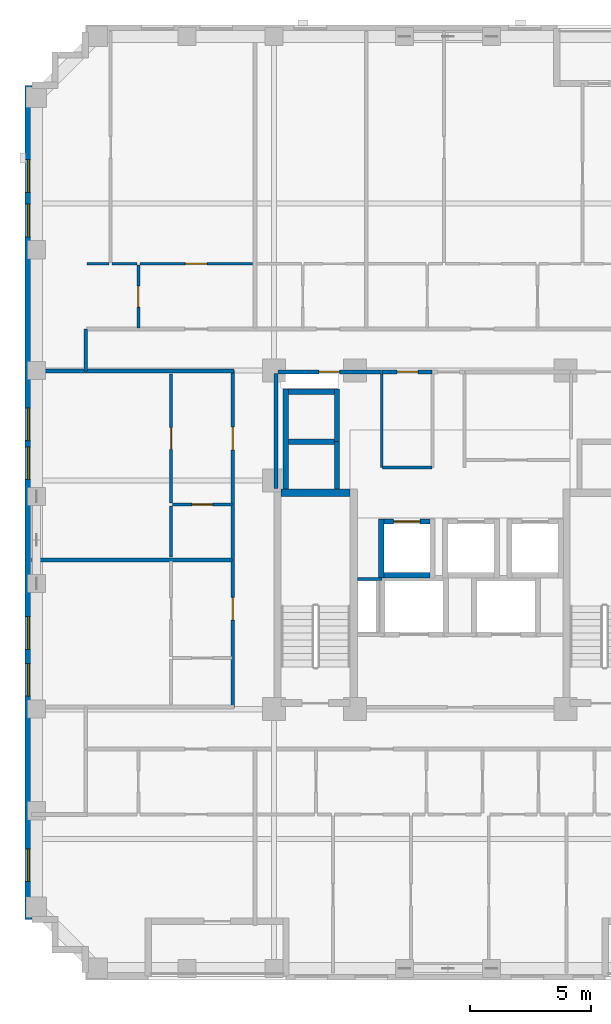
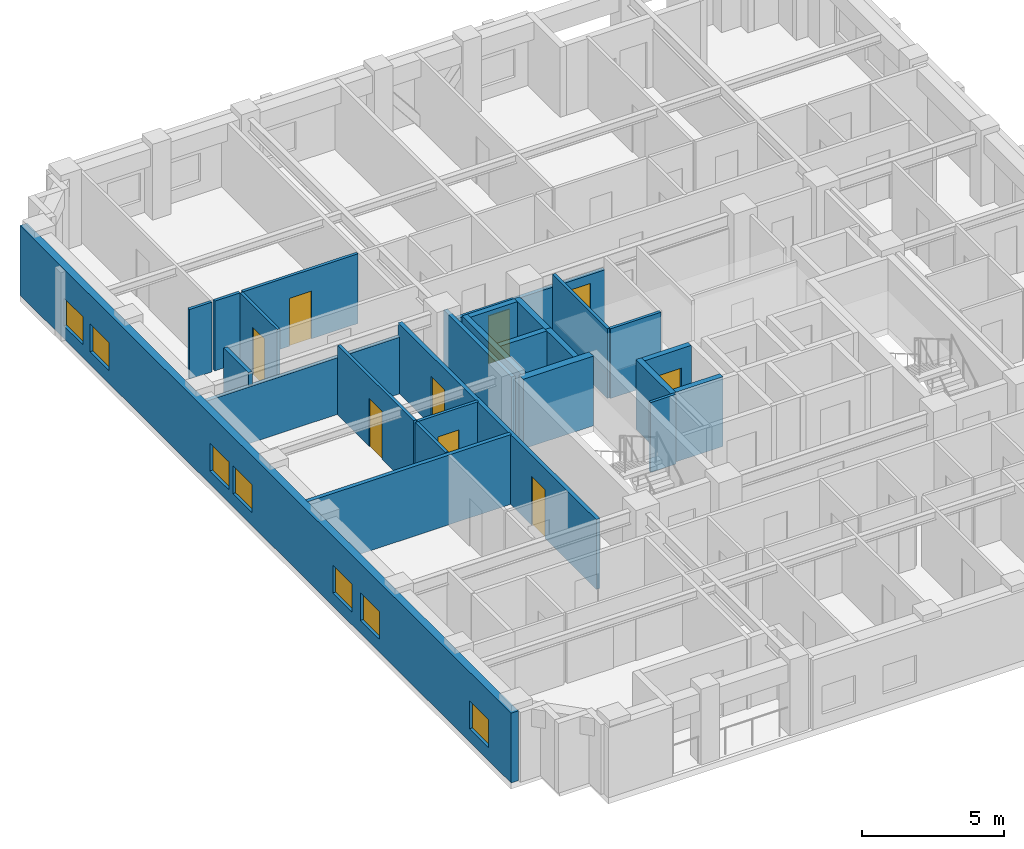
# One storey, part 5 of 11: 27 walls, 9 doors, 7 windows, 16 openings.
"""IFC4 building model written with IfcOpenShell, lengths in metres."""

from ifc_helpers import new_model, si_unit, derived_unit, direction, frame, frame_2d, origin, place, context, subcontext, project, spatial, rectangle, extrude, material, layer, layer_set, type_object, element, fill, save


model = new_model("IFC4")

# Units and contexts
model_context = context("Model", 3, precision=1e-05, world=origin(), true_north=direction((0.0, 1.0)))
body_context = subcontext(model_context, "Body", "Model", "MODEL_VIEW")
ifc_project = project(units=[si_unit("LENGTHUNIT", "METRE"), si_unit("AREAUNIT", "SQUARE_METRE"), si_unit("VOLUMEUNIT", "CUBIC_METRE"), si_unit("PLANEANGLEUNIT", "RADIAN"), si_unit("MASSUNIT", "GRAM", prefix="KILO"), derived_unit("THERMALTRANSMITTANCEUNIT", [(si_unit("MASSUNIT", "GRAM", prefix="KILO"), 1), (si_unit("TIMEUNIT", "SECOND"), -3), (si_unit("THERMODYNAMICTEMPERATUREUNIT", "KELVIN"), -1)])], contexts=[model_context])

# Site, building, storey
site_placement = place(None, origin())
site = spatial("IfcSite", under=ifc_project, at=site_placement, CompositionType="ELEMENT")
building_placement = place(site_placement, origin())
building = spatial("IfcBuilding", under=site, at=building_placement, Name="Korrvale Station Residences", CompositionType="ELEMENT")
storey_placement = place(building_placement, frame((0.0, 0.0, 143.89990234375)))
storey = spatial("IfcBuildingStorey", under=building, at=storey_placement, Name="L41", CompositionType="ELEMENT", Elevation=143.89990234375)

# Wall
ifc_material_1 = material(Name="Concrete C60/75", Category="concrete")
ifc_layer_1 = layer(ifc_material_1, 0.300048828125, Name="Concrete C60/75")
ifc_layer_set_1 = layer_set([ifc_layer_1], Name="Concrete C60/75")
wall_type_1 = type_object("IfcWallType", Name="WAL-CORE-300-C60", PredefinedType="SHEAR", material=ifc_layer_set_1)
wall_1_placement = place(storey_placement, frame((18.10009765625, 23.949951171875, 0.0), z_axis=(0.0, 0.0, 1.0), x_axis=(1.0, 0.0, 0.0)))
element("IfcWall", 1, at=wall_1_placement, inside=storey, type_object=wall_type_1, Name="L41 ST-1 Core Shear Wall North", PredefinedType="SHEAR", context=body_context, shape_type="SweptSolid", body=[
    extrude(rectangle(XDim=2.849853515625, YDim=0.300048828125, at=frame_2d((1.4248046875, 0.0))), origin(), (0.0, 0.0, 1.0), 2.989990234375),
])

# Wall, openings, windows
ifc_material_2 = material(Name="Precast concrete C45/55", Category="concrete")
ifc_layer_2 = layer(ifc_material_2, 0.300048828125, Name="Precast concrete C45/55")
ifc_layer_set_2 = layer_set([ifc_layer_2], Name="Precast concrete C45/55")
wall_type_2 = type_object("IfcWallType", Name="WAL-EXT-PC300", PredefinedType="SOLIDWALL", material=ifc_layer_set_2)
wall_2_placement = place(storey_placement, frame((7.64990234375, 6.300048828125, 0.0), z_axis=(0.0, 0.0, 1.0), x_axis=(0.0, 1.0, 0.0)))
wall_2 = element("IfcWall", 2, at=wall_2_placement, inside=storey, type_object=wall_type_2, Name="L41 West Exterior Precast Wall 1", PredefinedType="SOLIDWALL", context=body_context, shape_type="SweptSolid", body=[
    extrude(rectangle(XDim=34.5, YDim=0.300048828125, at=frame_2d((17.25, 0.0))), origin(), (0.0, 0.0, 1.0), 2.989990234375),
])
opening_1_placement = place(wall_2_placement, frame((1.574951171875, 0.0, 0.550048828125)))
opening_1 = element("IfcOpeningElement", 3, at=opening_1_placement, cuts=wall_2, Name="Opening W-10", PredefinedType="OPENING", context=body_context, shape_type="SweptSolid", body=[
    extrude(rectangle(XDim=1.35009765625, YDim=1.199951171875, at=frame_2d((0.675048828125, 0.60009765625))), frame((0.0, 0.16015625, 0.0), z_axis=(0.0, -1.0, 0.0), x_axis=(1.0, 0.0, 0.0)), (0.0, 0.0, 1.0), 0.320068359375),
])
opening_2_placement = place(wall_2_placement, frame((30.074951171875, 0.0, 0.550048828125)))
opening_2 = element("IfcOpeningElement", 4, at=opening_2_placement, cuts=wall_2, Name="Opening W-10", PredefinedType="OPENING", context=body_context, shape_type="SweptSolid", body=[
    extrude(rectangle(XDim=1.35009765625, YDim=1.199951171875, at=frame_2d((0.675048828125, 0.60009765625))), frame((0.0, 0.16015625, 0.0), z_axis=(0.0, -1.0, 0.0), x_axis=(1.0, 0.0, 0.0)), (0.0, 0.0, 1.0), 0.320068359375),
])
opening_3_placement = place(wall_2_placement, frame((28.235107421875, 0.0, 0.550048828125)))
opening_3 = element("IfcOpeningElement", 5, at=opening_3_placement, cuts=wall_2, Name="Opening W-10", PredefinedType="OPENING", context=body_context, shape_type="SweptSolid", body=[
    extrude(rectangle(XDim=1.35009765625, YDim=1.199951171875, at=frame_2d((0.675048828125, 0.60009765625))), frame((0.0, 0.16015625, 0.0), z_axis=(0.0, -1.0, 0.0), x_axis=(1.0, 0.0, 0.0)), (0.0, 0.0, 1.0), 0.320068359375),
])
opening_4_placement = place(wall_2_placement, frame((11.175048828125, 0.0, 0.550048828125)))
opening_4 = element("IfcOpeningElement", 6, at=opening_4_placement, cuts=wall_2, Name="Opening W-10", PredefinedType="OPENING", context=body_context, shape_type="SweptSolid", body=[
    extrude(rectangle(XDim=1.35009765625, YDim=1.199951171875, at=frame_2d((0.675048828125, 0.60009765625))), frame((0.0, 0.16015625, 0.0), z_axis=(0.0, -1.0, 0.0), x_axis=(1.0, 0.0, 0.0)), (0.0, 0.0, 1.0), 0.320068359375),
])
opening_5_placement = place(wall_2_placement, frame((9.235107421875, 0.0, 0.550048828125)))
opening_5 = element("IfcOpeningElement", 7, at=opening_5_placement, cuts=wall_2, Name="Opening W-10", PredefinedType="OPENING", context=body_context, shape_type="SweptSolid", body=[
    extrude(rectangle(XDim=1.35009765625, YDim=1.199951171875, at=frame_2d((0.675048828125, 0.60009765625))), frame((0.0, 0.16015625, 0.0), z_axis=(0.0, -1.0, 0.0), x_axis=(1.0, 0.0, 0.0)), (0.0, 0.0, 1.0), 0.320068359375),
])
opening_6_placement = place(wall_2_placement, frame((18.199951171875, 0.0, 0.550048828125)))
opening_6 = element("IfcOpeningElement", 8, at=opening_6_placement, cuts=wall_2, Name="Opening W-10", PredefinedType="OPENING", context=body_context, shape_type="SweptSolid", body=[
    extrude(rectangle(XDim=1.35009765625, YDim=1.199951171875, at=frame_2d((0.675048828125, 0.60009765625))), frame((0.0, 0.16015625, 0.0), z_axis=(0.0, -1.0, 0.0), x_axis=(1.0, 0.0, 0.0)), (0.0, 0.0, 1.0), 0.320068359375),
])
opening_7_placement = place(wall_2_placement, frame((19.81005859375, 0.0, 0.550048828125)))
opening_7 = element("IfcOpeningElement", 9, at=opening_7_placement, cuts=wall_2, Name="Opening W-10", PredefinedType="OPENING", context=body_context, shape_type="SweptSolid", body=[
    extrude(rectangle(XDim=1.35009765625, YDim=1.199951171875, at=frame_2d((0.675048828125, 0.60009765625))), frame((0.0, 0.16015625, 0.0), z_axis=(0.0, -1.0, 0.0), x_axis=(1.0, 0.0, 0.0)), (0.0, 0.0, 1.0), 0.320068359375),
])
ifc_material_3 = material(Name="Thermally broken aluminium frame with triple low-e glazing", Category="aluminium")
window_type = type_object("IfcWindowType", Name="WIN-W10", PartitioningType="SINGLE_PANEL", PredefinedType="WINDOW", material=ifc_material_3)
window_1_placement = place(opening_1_placement, origin())
window_1 = element("IfcWindow", 10, at=window_1_placement, inside=storey, type_object=window_type, Name="L41 Punched Window 01", OverallHeight=1.199951171875, OverallWidth=1.35009765625, PartitioningType="SINGLE_PANEL", PredefinedType="WINDOW", context=body_context, shape_type="SweptSolid", body=[
    extrude(rectangle(XDim=1.35009765625, YDim=1.199951171875, at=frame_2d((0.675048828125, 0.60009765625))), frame((0.0, 0.030029296875, 0.0), z_axis=(0.0, -1.0, 0.0), x_axis=(1.0, 0.0, 0.0)), (0.0, 0.0, 1.0), 0.06005859375),
])
fill(opening_1, window_1)
window_2_placement = place(opening_2_placement, origin())
window_2 = element("IfcWindow", 11, at=window_2_placement, inside=storey, type_object=window_type, Name="L41 Punched Window 07", OverallHeight=1.199951171875, OverallWidth=1.35009765625, PartitioningType="SINGLE_PANEL", PredefinedType="WINDOW", context=body_context, shape_type="SweptSolid", body=[
    extrude(rectangle(XDim=1.35009765625, YDim=1.199951171875, at=frame_2d((0.675048828125, 0.60009765625))), frame((0.0, 0.030029296875, 0.0), z_axis=(0.0, -1.0, 0.0), x_axis=(1.0, 0.0, 0.0)), (0.0, 0.0, 1.0), 0.06005859375),
])
fill(opening_2, window_2)
window_3_placement = place(opening_3_placement, origin())
window_3 = element("IfcWindow", 12, at=window_3_placement, inside=storey, type_object=window_type, Name="L41 Punched Window 08", OverallHeight=1.199951171875, OverallWidth=1.35009765625, PartitioningType="SINGLE_PANEL", PredefinedType="WINDOW", context=body_context, shape_type="SweptSolid", body=[
    extrude(rectangle(XDim=1.35009765625, YDim=1.199951171875, at=frame_2d((0.675048828125, 0.60009765625))), frame((0.0, 0.030029296875, 0.0), z_axis=(0.0, -1.0, 0.0), x_axis=(1.0, 0.0, 0.0)), (0.0, 0.0, 1.0), 0.06005859375),
])
fill(opening_3, window_3)
window_4_placement = place(opening_4_placement, origin())
window_4 = element("IfcWindow", 13, at=window_4_placement, inside=storey, type_object=window_type, Name="L41 Punched Window 16", OverallHeight=1.199951171875, OverallWidth=1.35009765625, PartitioningType="SINGLE_PANEL", PredefinedType="WINDOW", context=body_context, shape_type="SweptSolid", body=[
    extrude(rectangle(XDim=1.35009765625, YDim=1.199951171875, at=frame_2d((0.675048828125, 0.60009765625))), frame((0.0, 0.030029296875, 0.0), z_axis=(0.0, -1.0, 0.0), x_axis=(1.0, 0.0, 0.0)), (0.0, 0.0, 1.0), 0.06005859375),
])
fill(opening_4, window_4)
window_5_placement = place(opening_5_placement, origin())
window_5 = element("IfcWindow", 14, at=window_5_placement, inside=storey, type_object=window_type, Name="L41 Punched Window 17", OverallHeight=1.199951171875, OverallWidth=1.35009765625, PartitioningType="SINGLE_PANEL", PredefinedType="WINDOW", context=body_context, shape_type="SweptSolid", body=[
    extrude(rectangle(XDim=1.35009765625, YDim=1.199951171875, at=frame_2d((0.675048828125, 0.60009765625))), frame((0.0, 0.030029296875, 0.0), z_axis=(0.0, -1.0, 0.0), x_axis=(1.0, 0.0, 0.0)), (0.0, 0.0, 1.0), 0.06005859375),
])
fill(opening_5, window_5)
window_6_placement = place(opening_6_placement, origin())
window_6 = element("IfcWindow", 15, at=window_6_placement, inside=storey, type_object=window_type, Name="L41 Punched Window 18", OverallHeight=1.199951171875, OverallWidth=1.35009765625, PartitioningType="SINGLE_PANEL", PredefinedType="WINDOW", context=body_context, shape_type="SweptSolid", body=[
    extrude(rectangle(XDim=1.35009765625, YDim=1.199951171875, at=frame_2d((0.675048828125, 0.60009765625))), frame((0.0, 0.030029296875, 0.0), z_axis=(0.0, -1.0, 0.0), x_axis=(1.0, 0.0, 0.0)), (0.0, 0.0, 1.0), 0.06005859375),
])
fill(opening_6, window_6)
window_7_placement = place(opening_7_placement, origin())
window_7 = element("IfcWindow", 16, at=window_7_placement, inside=storey, type_object=window_type, Name="L41 Punched Window 19", OverallHeight=1.199951171875, OverallWidth=1.35009765625, PartitioningType="SINGLE_PANEL", PredefinedType="WINDOW", context=body_context, shape_type="SweptSolid", body=[
    extrude(rectangle(XDim=1.35009765625, YDim=1.199951171875, at=frame_2d((0.675048828125, 0.60009765625))), frame((0.0, 0.030029296875, 0.0), z_axis=(0.0, -1.0, 0.0), x_axis=(1.0, 0.0, 0.0)), (0.0, 0.0, 1.0), 0.06005859375),
])
fill(opening_7, window_7)

# Walls
ifc_material_4 = material(Name="Acoustic steel-stud gypsum board partition", Category="steel")
ifc_layer_3 = layer(ifc_material_4, 0.1201171875, Name="Acoustic steel-stud gypsum board partition")
ifc_layer_set_3 = layer_set([ifc_layer_3], Name="Acoustic steel-stud gypsum board partition")
wall_type_3 = type_object("IfcWallType", Name="WAL-PART-125", PredefinedType="PARTITIONING", material=ifc_layer_set_3)
wall_3_placement = place(storey_placement, frame((22.280029296875, 20.3798828125, 0.0), z_axis=(0.0, 0.0, 1.0), x_axis=(-1.0, 0.0, 0.0)))
element("IfcWall", 17, at=wall_3_placement, inside=storey, type_object=wall_type_3, Name="L41 Core Partition CW-RSWT-N", PredefinedType="PARTITIONING", context=body_context, shape_type="SweptSolid", body=[
    extrude(rectangle(XDim=1.02001953125, YDim=0.1201171875, at=frame_2d((0.510009765625, 0.0))), origin(), (0.0, 0.0, 1.0), 2.989990234375),
])
wall_4_placement = place(storey_placement, frame((22.260009765625, 25.0, 0.0), z_axis=(0.0, 0.0, 1.0), x_axis=(0.0, 1.0, 0.0)))
element("IfcWall", 18, at=wall_4_placement, inside=storey, type_object=wall_type_3, Name="L41 Core Partition CW-FPLW-W", PredefinedType="PARTITIONING", context=body_context, shape_type="SweptSolid", body=[
    extrude(rectangle(XDim=3.860107421875, YDim=0.1201171875, at=frame_2d((1.93017578125, 0.0))), origin(), (0.0, 0.0, 1.0), 2.989990234375),
])
wall_5_placement = place(storey_placement, frame((22.300048828125, 25.0, 0.0), z_axis=(0.0, 0.0, 1.0), x_axis=(1.0, 0.0, 0.0)))
element("IfcWall", 19, at=wall_5_placement, inside=storey, type_object=wall_type_3, Name="L41 Core Partition CW-FPLW-S", PredefinedType="PARTITIONING", context=body_context, shape_type="SweptSolid", body=[
    extrude(rectangle(XDim=2.0400390625, YDim=0.1201171875, at=frame_2d((1.02001953125, 0.0))), origin(), (0.0, 0.0, 1.0), 2.989990234375),
])

# Wall, opening, door
wall_6_placement = place(storey_placement, frame((12.193115234375, 30.760009765625, 0.0), z_axis=(0.0, 0.0, 1.0), x_axis=(0.0, 1.0, 0.0)))
wall_6 = element("IfcWall", 20, at=wall_6_placement, inside=storey, type_object=wall_type_3, Name="L41 Suite Partition U03-V01", PredefinedType="PARTITIONING", context=body_context, shape_type="SweptSolid", body=[
    extrude(rectangle(XDim=2.60009765625, YDim=0.1201171875, at=frame_2d((1.300048828125, 0.0))), origin(), (0.0, 0.0, 1.0), 2.989990234375),
])
opening_8_placement = place(wall_6_placement, frame((0.8701171875, 0.0, 0.0)))
opening_8 = element("IfcOpeningElement", 21, at=opening_8_placement, cuts=wall_6, Name="Opening DB-860", PredefinedType="OPENING", context=body_context, shape_type="SweptSolid", body=[
    extrude(rectangle(XDim=0.860107421875, YDim=2.050048828125, at=frame_2d((0.43017578125, 1.02490234375))), frame((0.0, 0.070068359375, 0.0), z_axis=(0.0, -1.0, 0.0), x_axis=(1.0, 0.0, 0.0)), (0.0, 0.0, 1.0), 0.14013671875),
])
ifc_material_5 = material(Name="Moisture-resistant solid-core bathroom door", Category="timber")
door_type_1 = type_object("IfcDoorType", Name="DR-BATH-860", OperationType="NOTDEFINED", PredefinedType="DOOR", material=ifc_material_5)
door_1_placement = place(opening_8_placement, origin())
door_1 = element("IfcDoor", 22, at=door_1_placement, inside=storey, type_object=door_type_1, Name="L41 Studio Apartment L41-U03 Bathroom Door", OperationType="SINGLE_SWING_RIGHT", OverallHeight=2.050048828125, OverallWidth=0.860107421875, PredefinedType="DOOR", context=body_context, shape_type="SweptSolid", body=[
    extrude(rectangle(XDim=0.860107421875, YDim=2.050048828125, at=frame_2d((0.43017578125, 1.02490234375))), frame((0.0, 0.02490234375, 0.0), z_axis=(0.0, -1.0, 0.0), x_axis=(1.0, 0.0, 0.0)), (0.0, 0.0, 1.0), 0.050048828125),
])
fill(opening_8, door_1)

# Walls
wall_7_placement = place(storey_placement, frame((10.080078125, 33.419921875, 0.0), z_axis=(0.0, 0.0, 1.0), x_axis=(1.0, 0.0, 0.0)))
element("IfcWall", 23, at=wall_7_placement, inside=storey, type_object=wall_type_3, Name="L41 Suite Partition U03-H02", PredefinedType="PARTITIONING", context=body_context, shape_type="SweptSolid", body=[
    extrude(rectangle(XDim=0.909912109375, YDim=0.1201171875, at=frame_2d((0.455078125, 0.0))), origin(), (0.0, 0.0, 1.0), 2.989990234375),
])
wall_8_placement = place(storey_placement, frame((11.110107421875, 33.419921875, 0.0), z_axis=(0.0, 0.0, 1.0), x_axis=(1.0, 0.0, 0.0)))
element("IfcWall", 24, at=wall_8_placement, inside=storey, type_object=wall_type_3, Name="L41 Suite Partition U03-H03", PredefinedType="PARTITIONING", context=body_context, shape_type="SweptSolid", body=[
    extrude(rectangle(XDim=1.02294921875, YDim=0.1201171875, at=frame_2d((0.511474609375, 0.0))), origin(), (0.0, 0.0, 1.0), 2.989990234375),
])

# Wall, opening, door
wall_9_placement = place(storey_placement, frame((12.2529296875, 33.419921875, 0.0), z_axis=(0.0, 0.0, 1.0), x_axis=(1.0, 0.0, 0.0)))
wall_9 = element("IfcWall", 25, at=wall_9_placement, inside=storey, type_object=wall_type_3, Name="L41 Suite Partition U03-H13", PredefinedType="PARTITIONING", context=body_context, shape_type="SweptSolid", body=[
    extrude(rectangle(XDim=4.671142578125, YDim=0.1201171875, at=frame_2d((2.33544921875, 0.0))), origin(), (0.0, 0.0, 1.0), 2.989990234375),
])
opening_9_placement = place(wall_9_placement, frame((1.885009765625, 0.0, 0.0)))
opening_9 = element("IfcOpeningElement", 26, at=opening_9_placement, cuts=wall_9, Name="Opening DI-900", PredefinedType="OPENING", context=body_context, shape_type="SweptSolid", body=[
    extrude(rectangle(XDim=0.89990234375, YDim=2.050048828125, at=frame_2d((0.449951171875, 1.02490234375))), frame((0.0, 0.070068359375, 0.0), z_axis=(0.0, -1.0, 0.0), x_axis=(1.0, 0.0, 0.0)), (0.0, 0.0, 1.0), 0.14013671875),
])
ifc_material_6 = material(Name="Painted solid-core timber interior room door", Category="wood")
door_type_2 = type_object("IfcDoorType", Name="DR-INT-900", OperationType="NOTDEFINED", PredefinedType="DOOR", material=ifc_material_6)
door_2_placement = place(opening_9_placement, origin())
door_2 = element("IfcDoor", 27, at=door_2_placement, inside=storey, type_object=door_type_2, Name="L41 Studio Apartment L41-U03 Kitchen Door", OperationType="SINGLE_SWING_LEFT", OverallHeight=2.050048828125, OverallWidth=0.89990234375, PredefinedType="DOOR", context=body_context, shape_type="SweptSolid", body=[
    extrude(rectangle(XDim=0.89990234375, YDim=2.050048828125, at=frame_2d((0.449951171875, 1.02490234375))), frame((0.0, 0.02490234375, 0.0), z_axis=(0.0, -1.0, 0.0), x_axis=(1.0, 0.0, 0.0)), (0.0, 0.0, 1.0), 0.050048828125),
])
fill(opening_9, door_2)

wall_10_placement = place(storey_placement, frame((13.610107421875, 23.467041015625, 0.0), z_axis=(0.0, 0.0, 1.0), x_axis=(1.0, 0.0, 0.0)))
wall_10 = element("IfcWall", 28, at=wall_10_placement, inside=storey, type_object=wall_type_3, Name="L41 Suite Partition U08-H01", PredefinedType="PARTITIONING", context=body_context, shape_type="SweptSolid", body=[
    extrude(rectangle(XDim=2.449951171875, YDim=0.1201171875, at=frame_2d((1.22509765625, 0.0))), origin(), (0.0, 0.0, 1.0), 2.989990234375),
])
opening_10_placement = place(wall_10_placement, frame((0.794921875, 0.0, 0.0)))
opening_10 = element("IfcOpeningElement", 29, at=opening_10_placement, cuts=wall_10, Name="Opening DB-860", PredefinedType="OPENING", context=body_context, shape_type="SweptSolid", body=[
    extrude(rectangle(XDim=0.860107421875, YDim=2.050048828125, at=frame_2d((0.43017578125, 1.02490234375))), frame((0.0, 0.070068359375, 0.0), z_axis=(0.0, -1.0, 0.0), x_axis=(1.0, 0.0, 0.0)), (0.0, 0.0, 1.0), 0.14013671875),
])
door_3_placement = place(opening_10_placement, origin())
door_3 = element("IfcDoor", 30, at=door_3_placement, inside=storey, type_object=door_type_1, Name="L41 Apartment 1BR L41-U08 Bathroom Door", OperationType="SINGLE_SWING_RIGHT", OverallHeight=2.050048828125, OverallWidth=0.860107421875, PredefinedType="DOOR", context=body_context, shape_type="SweptSolid", body=[
    extrude(rectangle(XDim=0.860107421875, YDim=2.050048828125, at=frame_2d((0.43017578125, 1.02490234375))), frame((0.0, 0.02490234375, 0.0), z_axis=(0.0, -1.0, 0.0), x_axis=(1.0, 0.0, 0.0)), (0.0, 0.0, 1.0), 0.050048828125),
])
fill(opening_10, door_3)

# Wall
wall_11_placement = place(storey_placement, frame((13.550048828125, 21.285888671875, 0.0), z_axis=(0.0, 0.0, 1.0), x_axis=(0.0, 1.0, 0.0)))
element("IfcWall", 31, at=wall_11_placement, inside=storey, type_object=wall_type_3, Name="L41 Suite Partition U08-V02", PredefinedType="PARTITIONING", context=body_context, shape_type="SweptSolid", body=[
    extrude(rectangle(XDim=2.12109375, YDim=0.1201171875, at=frame_2d((1.060546875, 0.0))), origin(), (0.0, 0.0, 1.0), 2.989990234375),
])

# Wall, opening, door
wall_12_placement = place(storey_placement, frame((13.550048828125, 23.527099609375, 0.0), z_axis=(0.0, 0.0, 1.0), x_axis=(0.0, 1.0, 0.0)))
wall_12 = element("IfcWall", 32, at=wall_12_placement, inside=storey, type_object=wall_type_3, Name="L41 Suite Partition U08-V12", PredefinedType="PARTITIONING", context=body_context, shape_type="SweptSolid", body=[
    extrude(rectangle(XDim=5.3330078125, YDim=0.1201171875, at=frame_2d((2.66650390625, 0.0))), origin(), (0.0, 0.0, 1.0), 2.989990234375),
])
opening_11_placement = place(wall_12_placement, frame((2.216064453125, 0.0, 0.0)))
opening_11 = element("IfcOpeningElement", 33, at=opening_11_placement, cuts=wall_12, Name="Opening DI-900", PredefinedType="OPENING", context=body_context, shape_type="SweptSolid", body=[
    extrude(rectangle(XDim=0.89990234375, YDim=2.050048828125, at=frame_2d((0.449951171875, 1.02490234375))), frame((0.0, 0.070068359375, 0.0), z_axis=(0.0, -1.0, 0.0), x_axis=(1.0, 0.0, 0.0)), (0.0, 0.0, 1.0), 0.14013671875),
])
door_4_placement = place(opening_11_placement, origin())
door_4 = element("IfcDoor", 34, at=door_4_placement, inside=storey, type_object=door_type_2, Name="L41 Apartment 1BR L41-U08 Kitchen Door", OperationType="SINGLE_SWING_LEFT", OverallHeight=2.050048828125, OverallWidth=0.89990234375, PredefinedType="DOOR", context=body_context, shape_type="SweptSolid", body=[
    extrude(rectangle(XDim=0.89990234375, YDim=2.050048828125, at=frame_2d((0.449951171875, 1.02490234375))), frame((0.0, 0.02490234375, 0.0), z_axis=(0.0, -1.0, 0.0), x_axis=(1.0, 0.0, 0.0)), (0.0, 0.0, 1.0), 0.050048828125),
])
fill(opening_11, door_4)

# Wall
ifc_material_7 = material(Name="Fire-rated twin-stud gypsum and mineral wool shaftwall assembly", Category="gypsum")
ifc_layer_4 = layer(ifc_material_7, 0.159912109375, Name="Fire-rated twin-stud gypsum and mineral wool shaftwall assembly")
ifc_layer_set_4 = layer_set([ifc_layer_4], Name="Fire-rated twin-stud gypsum and mineral wool shaftwall assembly")
wall_type_4 = type_object("IfcWallType", Name="WAL-PART-200", PredefinedType="PARTITIONING", material=ifc_layer_set_4)
wall_13_placement = place(storey_placement, frame((17.8798828125, 24.1201171875, 0.0), z_axis=(0.0, 0.0, 1.0), x_axis=(0.0, 1.0, 0.0)))
element("IfcWall", 35, at=wall_13_placement, inside=storey, type_object=wall_type_4, Name="L41 Core Partition CW-W-N", PredefinedType="PARTITIONING", context=body_context, shape_type="SweptSolid", body=[
    extrude(rectangle(XDim=4.759765625, YDim=0.159912109375, at=frame_2d((2.3798828125, 0.0))), origin(), (0.0, 0.0, 1.0), 2.989990234375),
])

# Wall, opening, door
wall_14_placement = place(storey_placement, frame((17.9599609375, 28.949951171875, 0.0), z_axis=(0.0, 0.0, 1.0), x_axis=(1.0, 0.0, 0.0)))
wall_14 = element("IfcWall", 36, at=wall_14_placement, inside=storey, type_object=wall_type_4, Name="L41 Core Partition CW-NW", PredefinedType="PARTITIONING", context=body_context, shape_type="SweptSolid", body=[
    extrude(rectangle(XDim=4.2900390625, YDim=0.159912109375, at=frame_2d((2.14501953125, 0.0))), origin(), (0.0, 0.0, 1.0), 2.426025390625),
])
opening_12_placement = place(wall_14_placement, frame((1.695068359375, 0.0, 0.0)))
opening_12 = element("IfcOpeningElement", 37, at=opening_12_placement, cuts=wall_14, Name="Opening DB-860", PredefinedType="OPENING", context=body_context, shape_type="SweptSolid", body=[
    extrude(rectangle(XDim=0.860107421875, YDim=2.050048828125, at=frame_2d((0.43017578125, 1.02490234375))), frame((0.0, 0.08984375, 0.0), z_axis=(0.0, -1.0, 0.0), x_axis=(1.0, 0.0, 0.0)), (0.0, 0.0, 1.0), 0.179931640625),
])
door_5_placement = place(opening_12_placement, origin())
door_5 = element("IfcDoor", 38, at=door_5_placement, inside=storey, type_object=door_type_1, Name="L41 Electrical Riser Access Door", OperationType="SINGLE_SWING_RIGHT", OverallHeight=2.050048828125, OverallWidth=0.860107421875, PredefinedType="DOOR", context=body_context, shape_type="SweptSolid", body=[
    extrude(rectangle(XDim=0.860107421875, YDim=2.050048828125, at=frame_2d((0.43017578125, 1.02490234375))), frame((0.0, 0.02490234375, 0.0), z_axis=(0.0, -1.0, 0.0), x_axis=(1.0, 0.0, 0.0)), (0.0, 0.0, 1.0), 0.050048828125),
])
fill(opening_12, door_5)

wall_15_placement = place(storey_placement, frame((22.280029296875, 28.949951171875, 0.0), z_axis=(0.0, 0.0, 1.0), x_axis=(1.0, 0.0, 0.0)))
wall_15 = element("IfcWall", 39, at=wall_15_placement, inside=storey, type_object=wall_type_4, Name="L41 Core Partition CW-FPLW-N", PredefinedType="PARTITIONING", context=body_context, shape_type="SweptSolid", body=[
    extrude(rectangle(XDim=2.06005859375, YDim=0.159912109375, at=frame_2d((1.030029296875, 0.0))), origin(), (0.0, 0.0, 1.0), 2.426025390625),
])
opening_13_placement = place(wall_15_placement, frame((0.6201171875, 0.0, 0.0)))
opening_13 = element("IfcOpeningElement", 40, at=opening_13_placement, cuts=wall_15, Name="Opening DB-860", PredefinedType="OPENING", context=body_context, shape_type="SweptSolid", body=[
    extrude(rectangle(XDim=0.860107421875, YDim=2.050048828125, at=frame_2d((0.43017578125, 1.02490234375))), frame((0.0, 0.08984375, 0.0), z_axis=(0.0, -1.0, 0.0), x_axis=(1.0, 0.0, 0.0)), (0.0, 0.0, 1.0), 0.179931640625),
])
door_6_placement = place(opening_13_placement, origin())
door_6 = element("IfcDoor", 41, at=door_6_placement, inside=storey, type_object=door_type_1, Name="L41 Resident Parcel Room Door", OperationType="SINGLE_SWING_RIGHT", OverallHeight=2.050048828125, OverallWidth=0.860107421875, PredefinedType="DOOR", context=body_context, shape_type="SweptSolid", body=[
    extrude(rectangle(XDim=0.860107421875, YDim=2.050048828125, at=frame_2d((0.43017578125, 1.02490234375))), frame((0.0, 0.02490234375, 0.0), z_axis=(0.0, -1.0, 0.0), x_axis=(1.0, 0.0, 0.0)), (0.0, 0.0, 1.0), 0.050048828125),
])
fill(opening_13, door_6)

# Walls
wall_16_placement = place(storey_placement, frame((10.02001953125, 28.97998046875, 0.0), z_axis=(0.0, 0.0, 1.0), x_axis=(0.0, 1.0, 0.0)))
element("IfcWall", 42, at=wall_16_placement, inside=storey, type_object=wall_type_4, Name="L41 Corridor North West Cap", PredefinedType="PARTITIONING", context=body_context, shape_type="SweptSolid", body=[
    extrude(rectangle(XDim=1.739990234375, YDim=0.159912109375, at=frame_2d((0.8701171875, 0.0))), origin(), (0.0, 0.0, 1.0), 2.989990234375),
])
wall_17_placement = place(storey_placement, frame((7.780029296875, 28.97998046875, 0.0), z_axis=(0.0, 0.0, 1.0), x_axis=(1.0, 0.0, 0.0)))
element("IfcWall", 43, at=wall_17_placement, inside=storey, type_object=wall_type_4, Name="L41 West Wing North Corridor Wall", PredefinedType="PARTITIONING", context=body_context, shape_type="SweptSolid", body=[
    extrude(rectangle(XDim=8.35986328125, YDim=0.159912109375, at=frame_2d((4.179931640625, 0.0))), origin(), (0.0, 0.0, 1.0), 2.426025390625),
])
wall_18_placement = place(storey_placement, frame((7.780029296875, 21.166015625, 0.0), z_axis=(0.0, 0.0, 1.0), x_axis=(1.0, 0.0, 0.0)))
element("IfcWall", 44, at=wall_18_placement, inside=storey, type_object=wall_type_4, Name="L41 Demising Wall U07-N", PredefinedType="PARTITIONING", context=body_context, shape_type="SweptSolid", body=[
    extrude(rectangle(XDim=8.280029296875, YDim=0.159912109375, at=frame_2d((4.14013671875, 0.0))), origin(), (0.0, 0.0, 1.0), 2.989990234375),
])

# Wall, openings, doors
wall_19_placement = place(storey_placement, frame((16.10009765625, 15.070068359375, 0.0), z_axis=(0.0, 0.0, 1.0), x_axis=(0.0, 1.0, 0.0)))
wall_19 = element("IfcWall", 45, at=wall_19_placement, inside=storey, type_object=wall_type_4, Name="L41 Rated Corridor Wall W", PredefinedType="PARTITIONING", context=body_context, shape_type="SweptSolid", body=[
    extrude(rectangle(XDim=13.929931640625, YDim=0.159912109375, at=frame_2d((6.96484375, 0.0))), origin(), (0.0, 0.0, 1.0), 2.989990234375),
])
opening_14_placement = place(wall_19_placement, frame((3.60791015625, 0.0, 0.0)))
opening_14 = element("IfcOpeningElement", 46, at=opening_14_placement, cuts=wall_19, Name="Opening UD-950", PredefinedType="OPENING", context=body_context, shape_type="SweptSolid", body=[
    extrude(rectangle(XDim=0.949951171875, YDim=2.10009765625, at=frame_2d((0.47509765625, 1.050048828125))), frame((0.0, 0.08984375, 0.0), z_axis=(0.0, -1.0, 0.0), x_axis=(1.0, 0.0, 0.0)), (0.0, 0.0, 1.0), 0.179931640625),
])
opening_15_placement = place(wall_19_placement, frame((10.64892578125, 0.0, 0.0)))
opening_15 = element("IfcOpeningElement", 47, at=opening_15_placement, cuts=wall_19, Name="Opening UD-950", PredefinedType="OPENING", context=body_context, shape_type="SweptSolid", body=[
    extrude(rectangle(XDim=0.949951171875, YDim=2.10009765625, at=frame_2d((0.47509765625, 1.050048828125))), frame((0.0, 0.08984375, 0.0), z_axis=(0.0, -1.0, 0.0), x_axis=(1.0, 0.0, 0.0)), (0.0, 0.0, 1.0), 0.179931640625),
])
ifc_material_8 = material(Name="Solid-core acoustic oak apartment entrance door", Category="timber")
door_type_3 = type_object("IfcDoorType", Name="DR-UNIT-950", OperationType="NOTDEFINED", PredefinedType="DOOR", material=ifc_material_8)
door_7_placement = place(opening_14_placement, origin())
door_7 = element("IfcDoor", 48, at=door_7_placement, inside=storey, type_object=door_type_3, Name="L41 Apartment L41-U07 Entrance Door", OperationType="SINGLE_SWING_LEFT", OverallHeight=2.10009765625, OverallWidth=0.949951171875, PredefinedType="DOOR", context=body_context, shape_type="SweptSolid", body=[
    extrude(rectangle(XDim=0.949951171875, YDim=2.10009765625, at=frame_2d((0.47509765625, 1.050048828125))), frame((0.0, 0.02490234375, 0.0), z_axis=(0.0, -1.0, 0.0), x_axis=(1.0, 0.0, 0.0)), (0.0, 0.0, 1.0), 0.050048828125),
])
fill(opening_14, door_7)
door_8_placement = place(opening_15_placement, origin())
door_8 = element("IfcDoor", 49, at=door_8_placement, inside=storey, type_object=door_type_3, Name="L41 Apartment L41-U08 Entrance Door", OperationType="SINGLE_SWING_RIGHT", OverallHeight=2.10009765625, OverallWidth=0.949951171875, PredefinedType="DOOR", context=body_context, shape_type="SweptSolid", body=[
    extrude(rectangle(XDim=0.949951171875, YDim=2.10009765625, at=frame_2d((0.47509765625, 1.050048828125))), frame((0.0, 0.02490234375, 0.0), z_axis=(0.0, -1.0, 0.0), x_axis=(1.0, 0.0, 0.0)), (0.0, 0.0, 1.0), 0.050048828125),
])
fill(opening_15, door_8)

# Wall
ifc_layer_5 = layer(ifc_material_1, 0.219970703125, Name="Concrete C60/75")
ifc_layer_set_5 = layer_set([ifc_layer_5], Name="Concrete C60/75")
wall_type_5 = type_object("IfcWallType", Name="WAL-SHAFT-220-C60", PredefinedType="SHEAR", material=ifc_layer_set_5)
wall_20_placement = place(storey_placement, frame((22.35009765625, 20.5400390625, 0.0), z_axis=(0.0, 0.0, 1.0), x_axis=(1.0, 0.0, 0.0)))
element("IfcWall", 50, at=wall_20_placement, inside=storey, type_object=wall_type_5, Name="L41 Elevator PM-1 Hoistway Wall South", PredefinedType="SHEAR", context=body_context, shape_type="SweptSolid", body=[
    extrude(rectangle(XDim=1.89990234375, YDim=0.219970703125, at=frame_2d((0.949951171875, 0.0))), origin(), (0.0, 0.0, 1.0), 2.989990234375),
])

# Wall, opening, door
wall_21_placement = place(storey_placement, frame((22.35009765625, 22.760009765625, 0.0), z_axis=(0.0, 0.0, 1.0), x_axis=(1.0, 0.0, 0.0)))
wall_21 = element("IfcWall", 51, at=wall_21_placement, inside=storey, type_object=wall_type_5, Name="L41 Elevator PM-1 Hoistway Wall North", PredefinedType="SHEAR", context=body_context, shape_type="SweptSolid", body=[
    extrude(rectangle(XDim=1.89990234375, YDim=0.219970703125, at=frame_2d((0.949951171875, 0.0))), origin(), (0.0, 0.0, 1.0), 2.989990234375),
])
opening_16_placement = place(wall_21_placement, frame((0.39990234375, 0.0, 0.0)))
opening_16 = element("IfcOpeningElement", 52, at=opening_16_placement, cuts=wall_21, Name="Opening LD-1100", PredefinedType="OPENING", context=body_context, shape_type="SweptSolid", body=[
    extrude(rectangle(XDim=1.10009765625, YDim=2.14990234375, at=frame_2d((0.550048828125, 1.074951171875))), frame((0.0, 0.1201171875, 0.0), z_axis=(0.0, -1.0, 0.0), x_axis=(1.0, 0.0, 0.0)), (0.0, 0.0, 1.0), 0.239990234375),
])
ifc_material_9 = material(Name="Brushed stainless-steel elevator landing sliding door", Category="steel")
door_type_4 = type_object("IfcDoorType", Name="DR-LIFT-1100", OperationType="SLIDING_TO_LEFT", PredefinedType="DOOR", material=ifc_material_9)
door_9_placement = place(opening_16_placement, origin())
door_9 = element("IfcDoor", 53, at=door_9_placement, inside=storey, type_object=door_type_4, Name="L41 Elevator PM-1 Sliding Landing Door", OperationType="SLIDING_TO_LEFT", OverallHeight=2.14990234375, OverallWidth=1.10009765625, PredefinedType="DOOR", context=body_context, shape_type="SweptSolid", body=[
    extrude(rectangle(XDim=1.10009765625, YDim=2.14990234375, at=frame_2d((0.550048828125, 1.074951171875))), frame((0.0, 0.02490234375, 0.0), z_axis=(0.0, -1.0, 0.0), x_axis=(1.0, 0.0, 0.0)), (0.0, 0.0, 1.0), 0.050048828125),
])
fill(opening_16, door_9)

# Walls
wall_22_placement = place(storey_placement, frame((22.239990234375, 20.429931640625, 0.0), z_axis=(0.0, 0.0, 1.0), x_axis=(0.0, 1.0, 0.0)))
element("IfcWall", 54, at=wall_22_placement, inside=storey, type_object=wall_type_5, Name="L41 Elevator PM-1 Hoistway Wall West", PredefinedType="SHEAR", context=body_context, shape_type="SweptSolid", body=[
    extrude(rectangle(XDim=2.440185546875, YDim=0.219970703125, at=frame_2d((1.22021484375, 0.0))), origin(), (0.0, 0.0, 1.0), 2.989990234375),
])
wall_23_placement = place(storey_placement, frame((18.2900390625, 24.10009765625, 0.0), z_axis=(0.0, 0.0, 1.0), x_axis=(0.0, 1.0, 0.0)))
element("IfcWall", 55, at=wall_23_placement, inside=storey, type_object=wall_type_5, Name="L41 Elevator PH-1 Hoistway Wall West", PredefinedType="SHEAR", context=body_context, shape_type="SweptSolid", body=[
    extrude(rectangle(XDim=4.139892578125, YDim=0.219970703125, at=frame_2d((2.06982421875, 0.0))), origin(), (0.0, 0.0, 1.0), 2.989990234375),
])
wall_24_placement = place(storey_placement, frame((20.409912109375, 24.10009765625, 0.0), z_axis=(0.0, 0.0, 1.0), x_axis=(0.0, 1.0, 0.0)))
element("IfcWall", 56, at=wall_24_placement, inside=storey, type_object=wall_type_5, Name="L41 Elevator PH-1 Hoistway Wall East", PredefinedType="SHEAR", context=body_context, shape_type="SweptSolid", body=[
    extrude(rectangle(XDim=1.9599609375, YDim=0.219970703125, at=frame_2d((0.97998046875, 0.0))), origin(), (0.0, 0.0, 1.0), 2.989990234375),
])
for number, where, z_axis, x_axis, name in (
    (57, (18.39990234375, 26.06005859375, 0.0), (0.0, 0.0, 1.0), (1.0, 0.0, 0.0), "L41 Elevator PH-2 Hoistway Wall South"),
    (58, (18.39990234375, 28.1298828125, 0.0), (0.0, 0.0, 1.0), (1.0, 0.0, 0.0), "L41 Elevator PH-2 Hoistway Wall North"),
):
    element("IfcWall", number, at=place(storey_placement, frame(where, z_axis=z_axis, x_axis=x_axis)), inside=storey, type_object=wall_type_5, Name=name, PredefinedType="SHEAR", context=body_context, shape_type="SweptSolid", body=[
        extrude(rectangle(XDim=1.900146484375, YDim=0.219970703125, at=frame_2d((0.9501953125, 0.0))), origin(), (0.0, 0.0, 1.0), 2.989990234375),
    ])
wall_25_placement = place(storey_placement, frame((20.409912109375, 26.06005859375, 0.0), z_axis=(0.0, 0.0, 1.0), x_axis=(0.0, 1.0, 0.0)))
element("IfcWall", 59, at=wall_25_placement, inside=storey, type_object=wall_type_5, Name="L41 Elevator PH-2 Hoistway Wall East", PredefinedType="SHEAR", context=body_context, shape_type="SweptSolid", body=[
    extrude(rectangle(XDim=2.179931640625, YDim=0.219970703125, at=frame_2d((1.08984375, 0.0))), origin(), (0.0, 0.0, 1.0), 2.989990234375),
])

save(model, "model.ifc")
